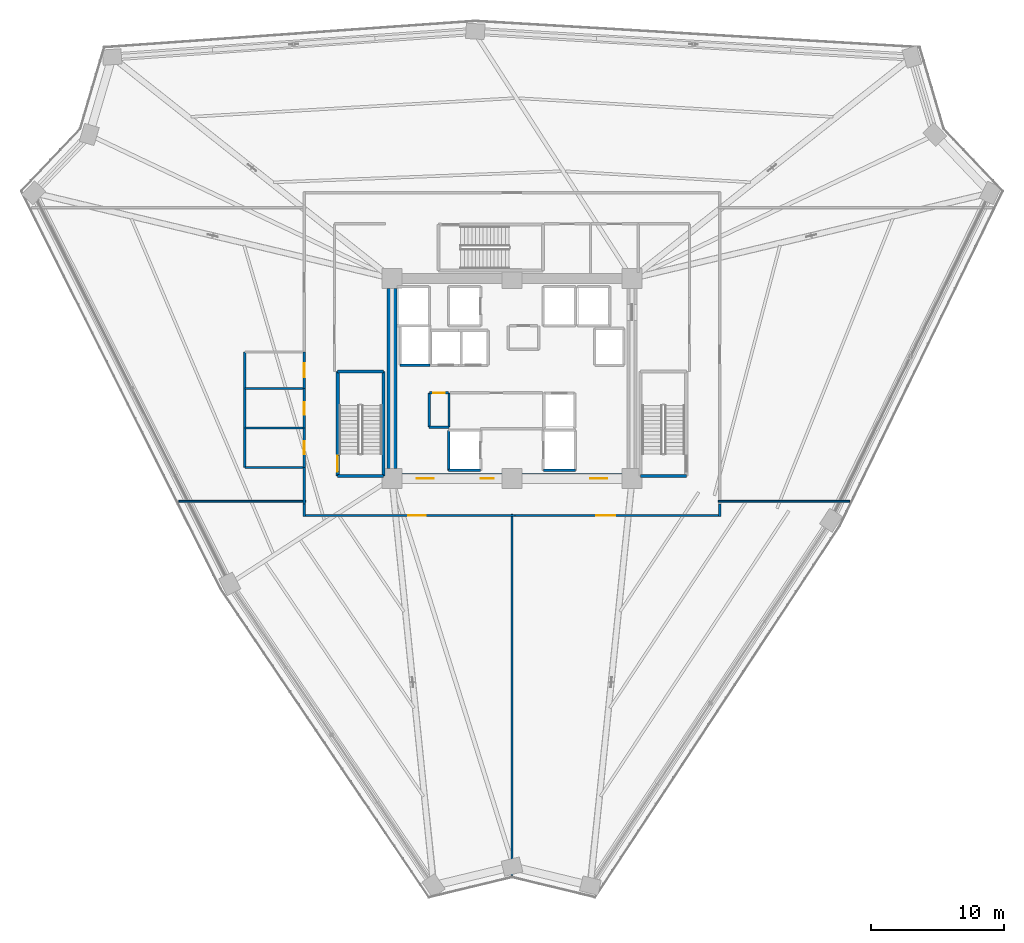
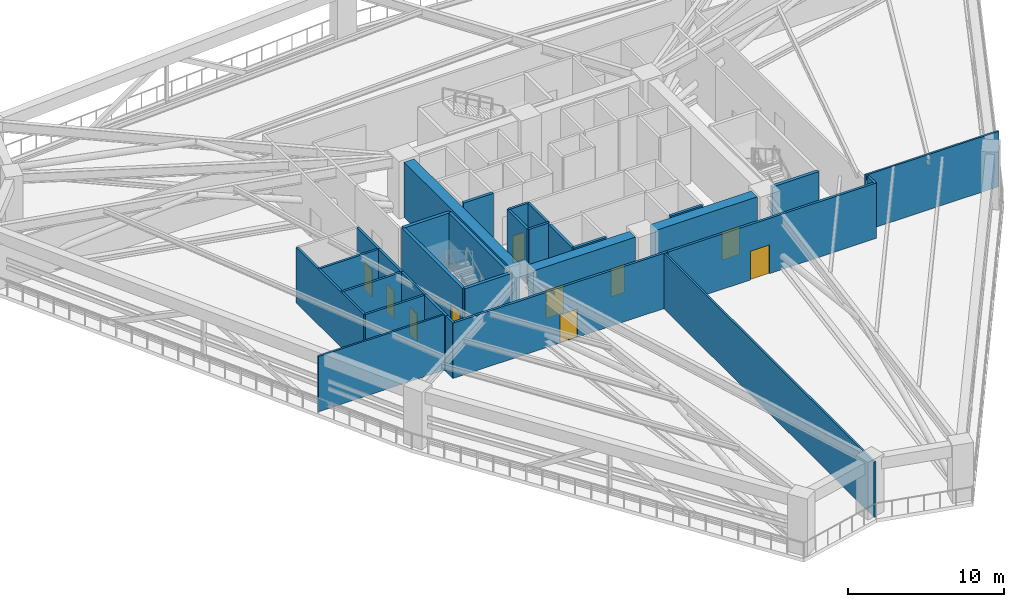
# One storey, part 15 of 23: 31 walls, 10 doors, 10 openings.
"""IFC4 building model written with IfcOpenShell, lengths in metres."""

from ifc_helpers import new_model, si_unit, direction, frame, frame_2d, origin, place, context, subcontext, project, spatial, rectangle, extrude, source, transform, mapped, material, layer, layer_set, type_object, element, fill, save


model = new_model("IFC4")

# Units and contexts
model_context = context("Model", 3, precision=1e-05, world=origin(), true_north=direction((0.0, 1.0)))
body_context = subcontext(model_context, "Body", "Model", "MODEL_VIEW")
ifc_project = project(units=[si_unit("LENGTHUNIT", "METRE"), si_unit("AREAUNIT", "SQUARE_METRE"), si_unit("VOLUMEUNIT", "CUBIC_METRE"), si_unit("PLANEANGLEUNIT", "RADIAN"), si_unit("MASSUNIT", "GRAM", prefix="KILO")], contexts=[model_context])

# Site, building, storey
site_placement = place(None, origin())
site = spatial("IfcSite", under=ifc_project, at=site_placement, CompositionType="ELEMENT")
building_placement = place(site_placement, origin())
building = spatial("IfcBuilding", under=site, at=building_placement, Name="Liaohun Quay Tower", CompositionType="ELEMENT")
storey_placement = place(building_placement, frame((0.0, 0.0, 139.5)))
storey = spatial("IfcBuildingStorey", under=building, at=storey_placement, Name="L36", CompositionType="ELEMENT", Elevation=139.5)

# Wall, opening, door
ifc_material_1 = material(Name="Concrete C60", Category="concrete")
ifc_layer_1 = layer(ifc_material_1, 0.75, Name="Concrete C60", Category="concrete")
ifc_layer_set_1 = layer_set([ifc_layer_1], Name="Concrete C60")
wall_type_1 = type_object("IfcWallType", Name="WAL-COR-Z2", PredefinedType="SHEAR", material=ifc_layer_set_1)
wall_1_placement = place(storey_placement, frame((68.25, 46.5, 0.0), z_axis=(0.0, 0.0, 1.0), x_axis=(-1.0, 0.0, 0.0)))
wall_1 = element("IfcWall", 1, at=wall_1_placement, inside=storey, type_object=wall_type_1, Name="L36 Central Core Shear Wall S-E", PredefinedType="SHEAR", context=body_context, shape_type="SweptSolid", body=[
    extrude(rectangle(XDim=7.5, YDim=0.75, at=frame_2d((3.75, 0.0))), origin(), (0.0, 0.0, 1.0), 4.320068359375),
])
shared_shape_1 = source(origin(), body_context, "Body", "SweptSolid", [
    extrude(rectangle(XDim=1.300048828125, YDim=2.199951171875, at=frame_2d((0.64990234375, 1.10009765625))), frame((0.0, 0.385009765625, 0.0), z_axis=(0.0, -1.0, 0.0), x_axis=(1.0, 0.0, 0.0)), (0.0, 0.0, 1.0), 0.77001953125),
])
opening_1_placement = place(wall_1_placement, frame((1.10009765625, 0.0, 0.0)))
opening_1 = element("IfcOpeningElement", 2, at=opening_1_placement, cuts=wall_1, Name="Opening FD1", PredefinedType="OPENING", context=body_context, shape_type="MappedRepresentation", body=[
    mapped(shared_shape_1, transform((0.0, 0.0, 0.0), x_axis=(1.0, 0.0, 0.0), y_axis=(0.0, 1.0, 0.0), z_axis=(0.0, 0.0, 1.0), scale=1.0)),
])
ifc_material_2 = material(Name="Galvanised steel smokeproof fire door", Category="steel")
door_type_1 = type_object("IfcDoorType", Name="DOR-FFL-1300", OperationType="NOTDEFINED", PredefinedType="DOOR", material=ifc_material_2)
shared_shape_2 = source(origin(), body_context, "Body", "SweptSolid", [
    extrude(rectangle(XDim=1.300048828125, YDim=2.199951171875, at=frame_2d((0.64990234375, 1.10009765625))), frame((0.0, 0.02490234375, 0.0), z_axis=(0.0, -1.0, 0.0), x_axis=(1.0, 0.0, 0.0)), (0.0, 0.0, 1.0), 0.050048828125),
])
door_1_placement = place(opening_1_placement, origin())
door_1 = element("IfcDoor", 3, at=door_1_placement, inside=storey, type_object=door_type_1, Name="L36 East Core Lift Lobby Smokeproof Door", OperationType="SINGLE_SWING_LEFT", OverallHeight=2.199951171875, OverallWidth=1.300048828125, PredefinedType="DOOR", context=body_context, shape_type="MappedRepresentation", body=[
    mapped(shared_shape_2, transform((0.0, 0.0, 0.0), x_axis=(1.0, 0.0, 0.0), y_axis=(0.0, 1.0, 0.0), z_axis=(0.0, 0.0, 1.0), scale=1.0)),
])
fill(opening_1, door_1)

# Wall, openings, doors
wall_2_placement = place(storey_placement, frame((59.25, 46.5, 0.0), z_axis=(0.0, 0.0, 1.0), x_axis=(-1.0, 0.0, 0.0)))
wall_2 = element("IfcWall", 4, at=wall_2_placement, inside=storey, type_object=wall_type_1, Name="L36 Central Core Shear Wall S-W", PredefinedType="SHEAR", context=body_context, shape_type="SweptSolid", body=[
    extrude(rectangle(XDim=7.5, YDim=0.75, at=frame_2d((3.75, 0.0))), origin(), (0.0, 0.0, 1.0), 4.320068359375),
])
opening_2_placement = place(wall_2_placement, frame((5.10009765625, 0.0, 0.0)))
opening_2 = element("IfcOpeningElement", 5, at=opening_2_placement, cuts=wall_2, Name="Opening FD1", PredefinedType="OPENING", context=body_context, shape_type="MappedRepresentation", body=[
    mapped(shared_shape_1, transform((0.0, 0.0, 0.0), x_axis=(1.0, 0.0, 0.0), y_axis=(0.0, 1.0, 0.0), z_axis=(0.0, 0.0, 1.0), scale=1.0)),
])
shared_shape_3 = source(origin(), body_context, "Body", "SweptSolid", [
    extrude(rectangle(XDim=1.0, YDim=2.199951171875, at=frame_2d((0.5, 1.10009765625))), frame((0.0, 0.385009765625, 0.0), z_axis=(0.0, -1.0, 0.0), x_axis=(1.0, 0.0, 0.0)), (0.0, 0.0, 1.0), 0.77001953125),
])
opening_3_placement = place(wall_2_placement, frame((0.60009765625, 0.0, 0.0)))
opening_3 = element("IfcOpeningElement", 6, at=opening_3_placement, cuts=wall_2, Name="Opening FD2", PredefinedType="OPENING", context=body_context, shape_type="MappedRepresentation", body=[
    mapped(shared_shape_3, transform((0.0, 0.0, 0.0), x_axis=(1.0, 0.0, 0.0), y_axis=(0.0, 1.0, 0.0), z_axis=(0.0, 0.0, 1.0), scale=1.0)),
])
door_2_placement = place(opening_2_placement, origin())
door_2 = element("IfcDoor", 7, at=door_2_placement, inside=storey, type_object=door_type_1, Name="L36 West Core Lift Lobby Smokeproof Door", OperationType="SINGLE_SWING_RIGHT", OverallHeight=2.199951171875, OverallWidth=1.300048828125, PredefinedType="DOOR", context=body_context, shape_type="MappedRepresentation", body=[
    mapped(shared_shape_2, transform((0.0, 0.0, 0.0), x_axis=(1.0, 0.0, 0.0), y_axis=(0.0, 1.0, 0.0), z_axis=(0.0, 0.0, 1.0), scale=1.0)),
])
fill(opening_2, door_2)
ifc_material_3 = material(Name="Galvanised steel smokeproof lobby fire door", Category="steel")
door_type_2 = type_object("IfcDoorType", Name="DOR-FFL-1000", OperationType="NOTDEFINED", PredefinedType="DOOR", material=ifc_material_3)
shared_shape_4 = source(origin(), body_context, "Body", "SweptSolid", [
    extrude(rectangle(XDim=1.0, YDim=2.199951171875, at=frame_2d((0.5, 1.10009765625))), frame((0.0, 0.02490234375, 0.0), z_axis=(0.0, -1.0, 0.0), x_axis=(1.0, 0.0, 0.0)), (0.0, 0.0, 1.0), 0.050048828125),
])
door_3_placement = place(opening_3_placement, origin())
door_3 = element("IfcDoor", 8, at=door_3_placement, inside=storey, type_object=door_type_2, Name="L36 South Firefighting Lobby Smokeproof Door", OperationType="SINGLE_SWING_LEFT", OverallHeight=2.199951171875, OverallWidth=1.0, PredefinedType="DOOR", context=body_context, shape_type="MappedRepresentation", body=[
    mapped(shared_shape_4, transform((0.0, 0.0, 0.0), x_axis=(1.0, 0.0, 0.0), y_axis=(0.0, 1.0, 0.0), z_axis=(0.0, 0.0, 1.0), scale=1.0)),
])
fill(opening_3, door_3)

# Wall
wall_3_placement = place(storey_placement, frame((51.0, 47.25, 0.0), z_axis=(0.0, 0.0, 1.0), x_axis=(0.0, 1.0, 0.0)))
element("IfcWall", 9, at=wall_3_placement, inside=storey, type_object=wall_type_1, Name="L36 Central Core Shear Wall W", PredefinedType="SHEAR", context=body_context, shape_type="SweptSolid", body=[
    extrude(rectangle(XDim=13.5, YDim=0.75, at=frame_2d((6.75, 0.0))), origin(), (0.0, 0.0, 1.0), 4.320068359375),
])

# Wall, opening, door
ifc_material_4 = material(Name="Autoclaved aerated concrete blockwork", Category="masonry")
ifc_layer_2 = layer(ifc_material_4, 0.179931640625, Name="Autoclaved aerated concrete blockwork", Category="masonry")
ifc_layer_set_2 = layer_set([ifc_layer_2], Name="Autoclaved aerated concrete blockwork")
wall_type_2 = type_object("IfcWallType", Name="WAL-PRT-COR", PredefinedType="PARTITIONING", material=ifc_layer_set_2)
wall_4_placement = place(storey_placement, frame((53.820068359375, 52.919921875, 0.0), z_axis=(0.0, 0.0, 1.0), x_axis=(1.0, 0.0, 0.0)))
wall_4 = element("IfcWall", 10, at=wall_4_placement, inside=storey, type_object=wall_type_2, Name="L36 Interior Partition Wall 003", PredefinedType="PARTITIONING", context=body_context, shape_type="SweptSolid", body=[
    extrude(rectangle(XDim=1.429931640625, YDim=0.179931640625, at=frame_2d((0.71484375, 0.0))), origin(), (0.0, 0.0, 1.0), 4.320068359375),
])
shared_shape_5 = source(origin(), body_context, "Body", "SweptSolid", [
    extrude(rectangle(XDim=0.85009765625, YDim=2.10009765625, at=frame_2d((0.425048828125, 1.050048828125))), frame((0.0, 0.099853515625, 0.0), z_axis=(0.0, -1.0, 0.0), x_axis=(1.0, 0.0, 0.0)), (0.0, 0.0, 1.0), 0.199951171875),
])
opening_4_placement = place(wall_4_placement, frame((0.2900390625, 0.0, 0.0)))
opening_4 = element("IfcOpeningElement", 11, at=opening_4_placement, cuts=wall_4, Name="Opening AD1", PredefinedType="OPENING", context=body_context, shape_type="MappedRepresentation", body=[
    mapped(shared_shape_5, transform((0.0, 0.0, 0.0), x_axis=(1.0, 0.0, 0.0), y_axis=(0.0, 1.0, 0.0), z_axis=(0.0, 0.0, 1.0), scale=1.0)),
])
ifc_material_5 = material(Name="Steel riser inspection fire door", Category="steel")
door_type_3 = type_object("IfcDoorType", Name="DOR-SHF-850", OperationType="NOTDEFINED", PredefinedType="DOOR", material=ifc_material_5)
shared_shape_6 = source(origin(), body_context, "Body", "SweptSolid", [
    extrude(rectangle(XDim=0.85009765625, YDim=2.10009765625, at=frame_2d((0.425048828125, 1.050048828125))), frame((0.0, 0.02490234375, 0.0), z_axis=(0.0, -1.0, 0.0), x_axis=(1.0, 0.0, 0.0)), (0.0, 0.0, 1.0), 0.050048828125),
])
door_4_placement = place(opening_4_placement, origin())
door_4 = element("IfcDoor", 12, at=door_4_placement, inside=storey, type_object=door_type_3, Name="L36 Mechanical Smoke Duct Room Door", OperationType="SINGLE_SWING_LEFT", OverallHeight=2.10009765625, OverallWidth=0.85009765625, PredefinedType="DOOR", context=body_context, shape_type="MappedRepresentation", body=[
    mapped(shared_shape_6, transform((0.0, 0.0, 0.0), x_axis=(1.0, 0.0, 0.0), y_axis=(0.0, 1.0, 0.0), z_axis=(0.0, 0.0, 1.0), scale=1.0)),
])
fill(opening_4, door_4)

wall_5_placement = place(storey_placement, frame((60.215087890625, 43.739990234375, 0.0), z_axis=(0.0, 0.0, 1.0), x_axis=(-1.0, 0.0, 0.0)))
wall_5 = element("IfcWall", 13, at=wall_5_placement, inside=storey, type_object=wall_type_2, Name="L36 Interior Partition Wall 014", PredefinedType="PARTITIONING", context=body_context, shape_type="SweptSolid", body=[
    extrude(rectangle(XDim=15.844970703125, YDim=0.179931640625, at=frame_2d((7.92236328125, 0.0))), origin(), (0.0, 0.0, 1.0), 4.320068359375),
])
shared_shape_7 = source(origin(), body_context, "Body", "SweptSolid", [
    extrude(rectangle(XDim=1.300048828125, YDim=2.199951171875, at=frame_2d((0.64990234375, 1.10009765625))), frame((0.0, 0.099853515625, 0.0), z_axis=(0.0, -1.0, 0.0), x_axis=(1.0, 0.0, 0.0)), (0.0, 0.0, 1.0), 0.199951171875),
])
opening_5_placement = place(wall_5_placement, frame((6.673095703125, 0.0, 0.0)))
opening_5 = element("IfcOpeningElement", 14, at=opening_5_placement, cuts=wall_5, Name="Opening FD1", PredefinedType="OPENING", context=body_context, shape_type="MappedRepresentation", body=[
    mapped(shared_shape_7, transform((0.0, 0.0, 0.0), x_axis=(1.0, 0.0, 0.0), y_axis=(0.0, 1.0, 0.0), z_axis=(0.0, 0.0, 1.0), scale=1.0)),
])
door_5_placement = place(opening_5_placement, origin())
door_5 = element("IfcDoor", 15, at=door_5_placement, inside=storey, type_object=door_type_1, Name="L36 North Open-Air Refuge Staging Area Door", OperationType="SINGLE_SWING_RIGHT", OverallHeight=2.199951171875, OverallWidth=1.300048828125, PredefinedType="DOOR", context=body_context, shape_type="MappedRepresentation", body=[
    mapped(shared_shape_2, transform((0.0, 0.0, 0.0), x_axis=(1.0, 0.0, 0.0), y_axis=(0.0, 1.0, 0.0), z_axis=(0.0, 0.0, 1.0), scale=1.0)),
])
fill(opening_5, door_5)

wall_6_placement = place(storey_placement, frame((75.6298828125, 43.739990234375, 0.0), z_axis=(0.0, 0.0, 1.0), x_axis=(-1.0, 0.0, 0.0)))
wall_6 = element("IfcWall", 16, at=wall_6_placement, inside=storey, type_object=wall_type_2, Name="L36 Interior Partition Wall 015", PredefinedType="PARTITIONING", context=body_context, shape_type="SweptSolid", body=[
    extrude(rectangle(XDim=15.414794921875, YDim=0.179931640625, at=frame_2d((7.70751953125, 0.0))), origin(), (0.0, 0.0, 1.0), 4.320068359375),
])
shared_shape_8 = source(origin(), body_context, "Body", "SweptSolid", [
    extrude(rectangle(XDim=1.39990234375, YDim=2.25, at=frame_2d((0.699951171875, 1.125))), frame((0.0, 0.099853515625, 0.0), z_axis=(0.0, -1.0, 0.0), x_axis=(1.0, 0.0, 0.0)), (0.0, 0.0, 1.0), 0.199951171875),
])
opening_6_placement = place(wall_6_placement, frame((7.906982421875, 0.0, 0.0)))
opening_6 = element("IfcOpeningElement", 17, at=opening_6_placement, cuts=wall_6, Name="Opening MD1", PredefinedType="OPENING", context=body_context, shape_type="MappedRepresentation", body=[
    mapped(shared_shape_8, transform((0.0, 0.0, 0.0), x_axis=(1.0, 0.0, 0.0), y_axis=(0.0, 1.0, 0.0), z_axis=(0.0, 0.0, 1.0), scale=1.0)),
])
ifc_material_6 = material(Name="Insulated steel plant room door", Category="steel")
door_type_4 = type_object("IfcDoorType", Name="DOR-MEP-1400", OperationType="DOUBLE_DOOR_SINGLE_SWING", PredefinedType="DOOR", material=ifc_material_6)
shared_shape_9 = source(origin(), body_context, "Body", "SweptSolid", [
    extrude(rectangle(XDim=1.39990234375, YDim=2.25, at=frame_2d((0.699951171875, 1.125))), frame((0.0, 0.02490234375, 0.0), z_axis=(0.0, -1.0, 0.0), x_axis=(1.0, 0.0, 0.0)), (0.0, 0.0, 1.0), 0.050048828125),
])
door_6_placement = place(opening_6_placement, origin())
door_6 = element("IfcDoor", 18, at=door_6_placement, inside=storey, type_object=door_type_4, Name="L36 East Booster Water Pump and Tank Plant Room Door", OperationType="DOUBLE_DOOR_SINGLE_SWING", OverallHeight=2.25, OverallWidth=1.39990234375, PredefinedType="DOOR", context=body_context, shape_type="MappedRepresentation", body=[
    mapped(shared_shape_9, transform((0.0, 0.0, 0.0), x_axis=(1.0, 0.0, 0.0), y_axis=(0.0, 1.0, 0.0), z_axis=(0.0, 0.0, 1.0), scale=1.0)),
])
fill(opening_6, door_6)

# Walls
wall_7_placement = place(storey_placement, frame((53.7900390625, 50.35009765625, 0.0), z_axis=(0.0, 0.0, 1.0), x_axis=(0.0, 1.0, 0.0)))
element("IfcWall", 19, at=wall_7_placement, inside=storey, type_object=wall_type_2, Name="L36 Interior Partition Wall 019", PredefinedType="PARTITIONING", context=body_context, shape_type="SweptSolid", body=[
    extrude(rectangle(XDim=2.56982421875, YDim=0.179931640625, at=frame_2d((1.284912109375, 0.0))), origin(), (0.0, 0.0, 1.0), 4.320068359375),
])
wall_8_placement = place(storey_placement, frame((53.7900390625, 50.35009765625, 0.0), z_axis=(0.0, 0.0, 1.0), x_axis=(1.0, 0.0, 0.0)))
element("IfcWall", 20, at=wall_8_placement, inside=storey, type_object=wall_type_2, Name="L36 Interior Partition Wall 020", PredefinedType="PARTITIONING", context=body_context, shape_type="SweptSolid", body=[
    extrude(rectangle(XDim=1.489990234375, YDim=0.179931640625, at=frame_2d((0.7451171875, 0.0))), origin(), (0.0, 0.0, 1.0), 4.320068359375),
])
wall_9_placement = place(storey_placement, frame((55.280029296875, 50.35009765625, 0.0), z_axis=(0.0, 0.0, 1.0), x_axis=(0.0, 1.0, 0.0)))
element("IfcWall", 21, at=wall_9_placement, inside=storey, type_object=wall_type_2, Name="L36 Interior Partition Wall 021", PredefinedType="PARTITIONING", context=body_context, shape_type="SweptSolid", body=[
    extrude(rectangle(XDim=2.56982421875, YDim=0.179931640625, at=frame_2d((1.284912109375, 0.0))), origin(), (0.0, 0.0, 1.0), 4.320068359375),
])
wall_10_placement = place(storey_placement, frame((44.43994140625, 44.5849609375, 0.0), z_axis=(0.0, 0.0, 1.0), x_axis=(0.0, 1.0, 0.0)))
element("IfcWall", 22, at=wall_10_placement, inside=storey, type_object=wall_type_2, Name="L36 Interior Partition Wall 035", PredefinedType="PARTITIONING", context=body_context, shape_type="SweptSolid", body=[
    extrude(rectangle(XDim=2.755126953125, YDim=0.179931640625, at=frame_2d((1.37744140625, 0.0))), origin(), (0.0, 0.0, 1.0), 4.320068359375),
])
for number, where, z_axis, x_axis, name in (
    (23, (44.43994140625, 43.669921875, 0.0), (0.0, 0.0, 1.0), (0.0, 1.0, 0.0), "L36 Interior Partition Wall 036"),
    (24, (75.56005859375, 44.5849609375, 0.0), (0.0, 0.0, 1.0), (0.0, -1.0, 0.0), "L36 Interior Partition Wall 037"),
):
    element("IfcWall", number, at=place(storey_placement, frame(where, z_axis=z_axis, x_axis=x_axis)), inside=storey, type_object=wall_type_2, Name=name, PredefinedType="PARTITIONING", context=body_context, shape_type="SweptSolid", body=[
        extrude(rectangle(XDim=0.9150390625, YDim=0.179931640625, at=frame_2d((0.45751953125, 0.0))), origin(), (0.0, 0.0, 1.0), 4.320068359375),
    ])
ifc_material_7 = material(Name="Gypsum board on twin steel studs", Category="steel")
ifc_layer_3 = layer(ifc_material_7, 0.139892578125, Name="Gypsum board on twin steel studs", Category="steel")
ifc_layer_set_3 = layer_set([ifc_layer_3], Name="Gypsum board on twin steel studs")
wall_type_3 = type_object("IfcWallType", Name="WAL-PRT-OFF", PredefinedType="PARTITIONING", material=ifc_layer_set_3)
wall_11_placement = place(storey_placement, frame((44.5400390625, 44.800048828125, 0.0), z_axis=(0.0, 0.0, 1.0), x_axis=(-1.0, 0.0, 0.0)))
element("IfcWall", 25, at=wall_11_placement, inside=storey, type_object=wall_type_3, Name="L36 Interior Partition Wall 038", PredefinedType="PARTITIONING", context=body_context, shape_type="SweptSolid", body=[
    extrude(rectangle(XDim=9.489990234375, YDim=0.139892578125, at=frame_2d((4.7451171875, 0.0))), origin(), (0.0, 0.0, 1.0), 4.320068359375),
])
wall_12_placement = place(storey_placement, frame((75.4599609375, 44.800048828125, 0.0), z_axis=(0.0, 0.0, 1.0), x_axis=(1.0, 0.0, 0.0)))
element("IfcWall", 26, at=wall_12_placement, inside=storey, type_object=wall_type_3, Name="L36 Interior Partition Wall 039", PredefinedType="PARTITIONING", context=body_context, shape_type="SweptSolid", body=[
    extrude(rectangle(XDim=9.8271484375, YDim=0.139892578125, at=frame_2d((4.91357421875, 0.0))), origin(), (0.0, 0.0, 1.0), 4.320068359375),
])
wall_13_placement = place(storey_placement, frame((60.0, 43.840087890625, 0.0), z_axis=(0.0, 0.0, 1.0), x_axis=(0.0, -1.0, 0.0)))
element("IfcWall", 27, at=wall_13_placement, inside=storey, type_object=wall_type_3, Name="L36 Interior Partition Wall 042", PredefinedType="PARTITIONING", context=body_context, shape_type="SweptSolid", body=[
    extrude(rectangle(XDim=27.05419921875, YDim=0.139892578125, at=frame_2d((13.527099609375, 0.0))), origin(), (0.0, 0.0, 1.0), 4.320068359375),
])

# Wall, opening, door
ifc_material_8 = material(Name="Moisture-resistant masonry blockwork", Category="masonry")
ifc_layer_4 = layer(ifc_material_8, 0.159912109375, Name="Moisture-resistant masonry blockwork", Category="masonry")
ifc_layer_set_4 = layer_set([ifc_layer_4], Name="Moisture-resistant masonry blockwork")
wall_type_4 = type_object("IfcWallType", Name="WAL-PRT-WET", PredefinedType="PARTITIONING", material=ifc_layer_set_4)
wall_14_placement = place(storey_placement, frame((44.43994140625, 47.340087890625, 0.0), z_axis=(0.0, 0.0, 1.0), x_axis=(0.0, 1.0, 0.0)))
wall_14 = element("IfcWall", 28, at=wall_14_placement, inside=storey, type_object=wall_type_4, Name="L36 Interior Partition Wall 004", PredefinedType="PARTITIONING", context=body_context, shape_type="SweptSolid", body=[
    extrude(rectangle(XDim=2.93994140625, YDim=0.159912109375, at=frame_2d((1.469970703125, 0.0))), origin(), (0.0, 0.0, 1.0), 4.320068359375),
])
shared_shape_10 = source(origin(), body_context, "Body", "SweptSolid", [
    extrude(rectangle(XDim=0.949951171875, YDim=2.14990234375, at=frame_2d((0.47509765625, 1.074951171875))), frame((0.0, 0.08984375, 0.0), z_axis=(0.0, -1.0, 0.0), x_axis=(1.0, 0.0, 0.0)), (0.0, 0.0, 1.0), 0.179931640625),
])
opening_7_placement = place(wall_14_placement, frame((0.9951171875, 0.0, 0.0)))
opening_7 = element("IfcOpeningElement", 29, at=opening_7_placement, cuts=wall_14, Name="Opening WD1", PredefinedType="OPENING", context=body_context, shape_type="MappedRepresentation", body=[
    mapped(shared_shape_10, transform((0.0, 0.0, 0.0), x_axis=(1.0, 0.0, 0.0), y_axis=(0.0, 1.0, 0.0), z_axis=(0.0, 0.0, 1.0), scale=1.0)),
])
ifc_material_9 = material(Name="Moisture-resistant laminate timber leaf", Category="wood")
door_type_5 = type_object("IfcDoorType", Name="DOR-WC-950", OperationType="NOTDEFINED", PredefinedType="DOOR", material=ifc_material_9)
shared_shape_11 = source(origin(), body_context, "Body", "SweptSolid", [
    extrude(rectangle(XDim=0.949951171875, YDim=2.14990234375, at=frame_2d((0.47509765625, 1.074951171875))), frame((0.0, 0.02490234375, 0.0), z_axis=(0.0, -1.0, 0.0), x_axis=(1.0, 0.0, 0.0)), (0.0, 0.0, 1.0), 0.050048828125),
])
door_7_placement = place(opening_7_placement, origin())
door_7 = element("IfcDoor", 30, at=door_7_placement, inside=storey, type_object=door_type_5, Name="L36 Male Restroom WC Door", OperationType="SINGLE_SWING_RIGHT", OverallHeight=2.14990234375, OverallWidth=0.949951171875, PredefinedType="DOOR", context=body_context, shape_type="MappedRepresentation", body=[
    mapped(shared_shape_11, transform((0.0, 0.0, 0.0), x_axis=(1.0, 0.0, 0.0), y_axis=(0.0, 1.0, 0.0), z_axis=(0.0, 0.0, 1.0), scale=1.0)),
])
fill(opening_7, door_7)

wall_15_placement = place(storey_placement, frame((44.43994140625, 50.280029296875, 0.0), z_axis=(0.0, 0.0, 1.0), x_axis=(0.0, 1.0, 0.0)))
wall_15 = element("IfcWall", 31, at=wall_15_placement, inside=storey, type_object=wall_type_4, Name="L36 Interior Partition Wall 005", PredefinedType="PARTITIONING", context=body_context, shape_type="SweptSolid", body=[
    extrude(rectangle(XDim=2.9599609375, YDim=0.159912109375, at=frame_2d((1.47998046875, 0.0))), origin(), (0.0, 0.0, 1.0), 4.320068359375),
])
opening_8_placement = place(wall_15_placement, frame((1.0048828125, 0.0, 0.0)))
opening_8 = element("IfcOpeningElement", 32, at=opening_8_placement, cuts=wall_15, Name="Opening WD1", PredefinedType="OPENING", context=body_context, shape_type="MappedRepresentation", body=[
    mapped(shared_shape_10, transform((0.0, 0.0, 0.0), x_axis=(1.0, 0.0, 0.0), y_axis=(0.0, 1.0, 0.0), z_axis=(0.0, 0.0, 1.0), scale=1.0)),
])
door_8_placement = place(opening_8_placement, origin())
door_8 = element("IfcDoor", 33, at=door_8_placement, inside=storey, type_object=door_type_5, Name="L36 Female Restroom WC Door", OperationType="SINGLE_SWING_LEFT", OverallHeight=2.14990234375, OverallWidth=0.949951171875, PredefinedType="DOOR", context=body_context, shape_type="MappedRepresentation", body=[
    mapped(shared_shape_11, transform((0.0, 0.0, 0.0), x_axis=(1.0, 0.0, 0.0), y_axis=(0.0, 1.0, 0.0), z_axis=(0.0, 0.0, 1.0), scale=1.0)),
])
fill(opening_8, door_8)

wall_16_placement = place(storey_placement, frame((44.43994140625, 53.239990234375, 0.0), z_axis=(0.0, 0.0, 1.0), x_axis=(0.0, 1.0, 0.0)))
wall_16 = element("IfcWall", 34, at=wall_16_placement, inside=storey, type_object=wall_type_4, Name="L36 Interior Partition Wall 006", PredefinedType="PARTITIONING", context=body_context, shape_type="SweptSolid", body=[
    extrude(rectangle(XDim=2.739990234375, YDim=0.159912109375, at=frame_2d((1.3701171875, 0.0))), origin(), (0.0, 0.0, 1.0), 4.320068359375),
])
shared_shape_12 = source(origin(), body_context, "Body", "SweptSolid", [
    extrude(rectangle(XDim=1.050048828125, YDim=2.14990234375, at=frame_2d((0.52490234375, 1.074951171875))), frame((0.0, 0.08984375, 0.0), z_axis=(0.0, -1.0, 0.0), x_axis=(1.0, 0.0, 0.0)), (0.0, 0.0, 1.0), 0.179931640625),
])
opening_9_placement = place(wall_16_placement, frame((0.844970703125, 0.0, 0.0)))
opening_9 = element("IfcOpeningElement", 35, at=opening_9_placement, cuts=wall_16, Name="Opening WD2", PredefinedType="OPENING", context=body_context, shape_type="MappedRepresentation", body=[
    mapped(shared_shape_12, transform((0.0, 0.0, 0.0), x_axis=(1.0, 0.0, 0.0), y_axis=(0.0, 1.0, 0.0), z_axis=(0.0, 0.0, 1.0), scale=1.0)),
])
ifc_material_10 = material(Name="Accessible outward-swinging laminate door")
door_type_6 = type_object("IfcDoorType", Name="DOR-AWC-1050", OperationType="NOTDEFINED", PredefinedType="DOOR", material=ifc_material_10)
shared_shape_13 = source(origin(), body_context, "Body", "SweptSolid", [
    extrude(rectangle(XDim=1.050048828125, YDim=2.14990234375, at=frame_2d((0.52490234375, 1.074951171875))), frame((0.0, 0.02490234375, 0.0), z_axis=(0.0, -1.0, 0.0), x_axis=(1.0, 0.0, 0.0)), (0.0, 0.0, 1.0), 0.050048828125),
])
door_9_placement = place(opening_9_placement, origin())
door_9 = element("IfcDoor", 36, at=door_9_placement, inside=storey, type_object=door_type_6, Name="L36 Accessible WC Door", OperationType="SINGLE_SWING_RIGHT", OverallHeight=2.14990234375, OverallWidth=1.050048828125, PredefinedType="DOOR", context=body_context, shape_type="MappedRepresentation", body=[
    mapped(shared_shape_13, transform((0.0, 0.0, 0.0), x_axis=(1.0, 0.0, 0.0), y_axis=(0.0, 1.0, 0.0), z_axis=(0.0, 0.0, 1.0), scale=1.0)),
])
fill(opening_9, door_9)

# Walls
wall_17_placement = place(storey_placement, frame((39.97998046875, 47.340087890625, 0.0), z_axis=(0.0, 0.0, 1.0), x_axis=(0.0, 1.0, 0.0)))
element("IfcWall", 37, at=wall_17_placement, inside=storey, type_object=wall_type_4, Name="L36 Interior Partition Wall 022", PredefinedType="PARTITIONING", context=body_context, shape_type="SweptSolid", body=[
    extrude(rectangle(XDim=8.639892578125, YDim=0.159912109375, at=frame_2d((4.31982421875, 0.0))), origin(), (0.0, 0.0, 1.0), 4.320068359375),
])
for number, where, z_axis, x_axis, name in (
    (38, (39.97998046875, 47.340087890625, 0.0), (0.0, 0.0, 1.0), (1.0, 0.0, 0.0), "L36 Interior Partition Wall 023"),
    (39, (39.97998046875, 50.280029296875, 0.0), (0.0, 0.0, 1.0), (1.0, 0.0, 0.0), "L36 Interior Partition Wall 024"),
    (40, (39.97998046875, 53.239990234375, 0.0), (0.0, 0.0, 1.0), (1.0, 0.0, 0.0), "L36 Interior Partition Wall 025"),
):
    element("IfcWall", number, at=place(storey_placement, frame(where, z_axis=z_axis, x_axis=x_axis)), inside=storey, type_object=wall_type_4, Name=name, PredefinedType="PARTITIONING", context=body_context, shape_type="SweptSolid", body=[
        extrude(rectangle(XDim=4.4599609375, YDim=0.159912109375, at=frame_2d((2.22998046875, 0.0))), origin(), (0.0, 0.0, 1.0), 4.320068359375),
    ])
ifc_material_11 = material(Name="Concrete C50", Category="concrete")
ifc_layer_5 = layer(ifc_material_11, 0.239990234375, Name="Concrete C50", Category="concrete")
ifc_layer_set_5 = layer_set([ifc_layer_5], Name="Concrete C50")
wall_type_5 = type_object("IfcWallType", Name="WAL-SHF-200", PredefinedType="SOLIDWALL", material=ifc_layer_set_5)
wall_18_placement = place(storey_placement, frame((46.93994140625, 46.699951171875, 0.0), z_axis=(0.0, 0.0, 1.0), x_axis=(1.0, 0.0, 0.0)))
element("IfcWall", 41, at=wall_18_placement, inside=storey, type_object=wall_type_5, Name="L36 Stairwell ST-1 Structural Core Wall S", PredefinedType="SOLIDWALL", context=body_context, shape_type="SweptSolid", body=[
    extrude(rectangle(XDim=3.43994140625, YDim=0.239990234375, at=frame_2d((1.719970703125, 0.0))), origin(), (0.0, 0.0, 1.0), 4.320068359375),
])
wall_19_placement = place(storey_placement, frame((50.3798828125, 46.699951171875, 0.0), z_axis=(0.0, 0.0, 1.0), x_axis=(0.0, 1.0, 0.0)))
element("IfcWall", 42, at=wall_19_placement, inside=storey, type_object=wall_type_5, Name="L36 Stairwell ST-1 Structural Core Wall E", PredefinedType="SOLIDWALL", context=body_context, shape_type="SweptSolid", body=[
    extrude(rectangle(XDim=7.820068359375, YDim=0.239990234375, at=frame_2d((3.91015625, 0.0))), origin(), (0.0, 0.0, 1.0), 4.320068359375),
])
wall_20_placement = place(storey_placement, frame((50.3798828125, 54.52001953125, 0.0), z_axis=(0.0, 0.0, 1.0), x_axis=(-1.0, 0.0, 0.0)))
element("IfcWall", 43, at=wall_20_placement, inside=storey, type_object=wall_type_5, Name="L36 Stairwell ST-1 Structural Core Wall N", PredefinedType="SOLIDWALL", context=body_context, shape_type="SweptSolid", body=[
    extrude(rectangle(XDim=3.43994140625, YDim=0.239990234375, at=frame_2d((1.719970703125, 0.0))), origin(), (0.0, 0.0, 1.0), 4.320068359375),
])

# Wall, opening, door
wall_21_placement = place(storey_placement, frame((46.93994140625, 54.52001953125, 0.0), z_axis=(0.0, 0.0, 1.0), x_axis=(0.0, -1.0, 0.0)))
wall_21 = element("IfcWall", 44, at=wall_21_placement, inside=storey, type_object=wall_type_5, Name="L36 Stairwell ST-1 Structural Core Wall W", PredefinedType="SOLIDWALL", context=body_context, shape_type="SweptSolid", body=[
    extrude(rectangle(XDim=7.820068359375, YDim=0.239990234375, at=frame_2d((3.91015625, 0.0))), origin(), (0.0, 0.0, 1.0), 4.320068359375),
])
shared_shape_14 = source(origin(), body_context, "Body", "SweptSolid", [
    extrude(rectangle(XDim=1.199951171875, YDim=2.199951171875, at=frame_2d((0.60009765625, 1.10009765625))), frame((0.0, 0.1298828125, 0.0), z_axis=(0.0, -1.0, 0.0), x_axis=(1.0, 0.0, 0.0)), (0.0, 0.0, 1.0), 0.260009765625),
])
opening_10_placement = place(wall_21_placement, frame((6.300048828125, 0.0, 0.0)))
opening_10 = element("IfcOpeningElement", 45, at=opening_10_placement, cuts=wall_21, Name="Opening SD1", PredefinedType="OPENING", context=body_context, shape_type="MappedRepresentation", body=[
    mapped(shared_shape_14, transform((0.0, 0.0, 0.0), x_axis=(1.0, 0.0, 0.0), y_axis=(0.0, 1.0, 0.0), z_axis=(0.0, 0.0, 1.0), scale=1.0)),
])
ifc_material_12 = material(Name="Galvanised steel fire door", Category="steel")
door_type_7 = type_object("IfcDoorType", Name="DOR-STR-1200", OperationType="NOTDEFINED", PredefinedType="DOOR", material=ifc_material_12)
shared_shape_15 = source(origin(), body_context, "Body", "SweptSolid", [
    extrude(rectangle(XDim=1.199951171875, YDim=2.199951171875, at=frame_2d((0.60009765625, 1.10009765625))), frame((0.0, 0.02490234375, 0.0), z_axis=(0.0, -1.0, 0.0), x_axis=(1.0, 0.0, 0.0)), (0.0, 0.0, 1.0), 0.050048828125),
])
door_10_placement = place(opening_10_placement, origin())
door_10 = element("IfcDoor", 46, at=door_10_placement, inside=storey, type_object=door_type_7, Name="L36 Protected Stair ST-1 Fire Door", OperationType="SINGLE_SWING_LEFT", OverallHeight=2.199951171875, OverallWidth=1.199951171875, PredefinedType="DOOR", context=body_context, shape_type="MappedRepresentation", body=[
    mapped(shared_shape_15, transform((0.0, 0.0, 0.0), x_axis=(1.0, 0.0, 0.0), y_axis=(0.0, 1.0, 0.0), z_axis=(0.0, 0.0, 1.0), scale=1.0)),
])
fill(opening_10, door_10)

# Walls
wall_22_placement = place(storey_placement, frame((69.6201171875, 46.699951171875, 0.0), z_axis=(0.0, 0.0, 1.0), x_axis=(1.0, 0.0, 0.0)))
element("IfcWall", 47, at=wall_22_placement, inside=storey, type_object=wall_type_5, Name="L36 Stairwell ST-2 Structural Core Wall S", PredefinedType="SOLIDWALL", context=body_context, shape_type="SweptSolid", body=[
    extrude(rectangle(XDim=3.43994140625, YDim=0.239990234375, at=frame_2d((1.719970703125, 0.0))), origin(), (0.0, 0.0, 1.0), 4.320068359375),
])
wall_23_placement = place(storey_placement, frame((55.25, 47.1201171875, 0.0), z_axis=(0.0, 0.0, 1.0), x_axis=(1.0, 0.0, 0.0)))
element("IfcWall", 48, at=wall_23_placement, inside=storey, type_object=wall_type_5, Name="L36 Lift FF-01 Hoistway Wall S", PredefinedType="SOLIDWALL", context=body_context, shape_type="SweptSolid", body=[
    extrude(rectangle(XDim=2.39990234375, YDim=0.199951171875, at=frame_2d((1.199951171875, 0.0))), origin(), (0.0, 0.0, 1.0), 4.320068359375),
])
wall_24_placement = place(storey_placement, frame((55.25, 50.1201171875, 0.0), z_axis=(0.0, 0.0, 1.0), x_axis=(0.0, -1.0, 0.0)))
element("IfcWall", 49, at=wall_24_placement, inside=storey, type_object=wall_type_5, Name="L36 Lift FF-01 Hoistway Wall W", PredefinedType="SOLIDWALL", context=body_context, shape_type="SweptSolid", body=[
    extrude(rectangle(XDim=3.0, YDim=0.199951171875, at=frame_2d((1.5, 0.0))), origin(), (0.0, 0.0, 1.0), 4.320068359375),
])
wall_25_placement = place(storey_placement, frame((62.35009765625, 47.1201171875, 0.0), z_axis=(0.0, 0.0, 1.0), x_axis=(1.0, 0.0, 0.0)))
element("IfcWall", 50, at=wall_25_placement, inside=storey, type_object=wall_type_5, Name="L36 Lift FF-02 Hoistway Wall S", PredefinedType="SOLIDWALL", context=body_context, shape_type="SweptSolid", body=[
    extrude(rectangle(XDim=2.39990234375, YDim=0.199951171875, at=frame_2d((1.199951171875, 0.0))), origin(), (0.0, 0.0, 1.0), 4.320068359375),
])
wall_26_placement = place(storey_placement, frame((51.6201171875, 55.0, 0.0), z_axis=(0.0, 0.0, 1.0), x_axis=(1.0, 0.0, 0.0)))
element("IfcWall", 51, at=wall_26_placement, inside=storey, type_object=wall_type_5, Name="L36 Lift SH-02 Hoistway Wall S", PredefinedType="SOLIDWALL", context=body_context, shape_type="SweptSolid", body=[
    extrude(rectangle(XDim=2.22998046875, YDim=0.199951171875, at=frame_2d((1.114990234375, 0.0))), origin(), (0.0, 0.0, 1.0), 4.320068359375),
])

save(model, "model.ifc")
